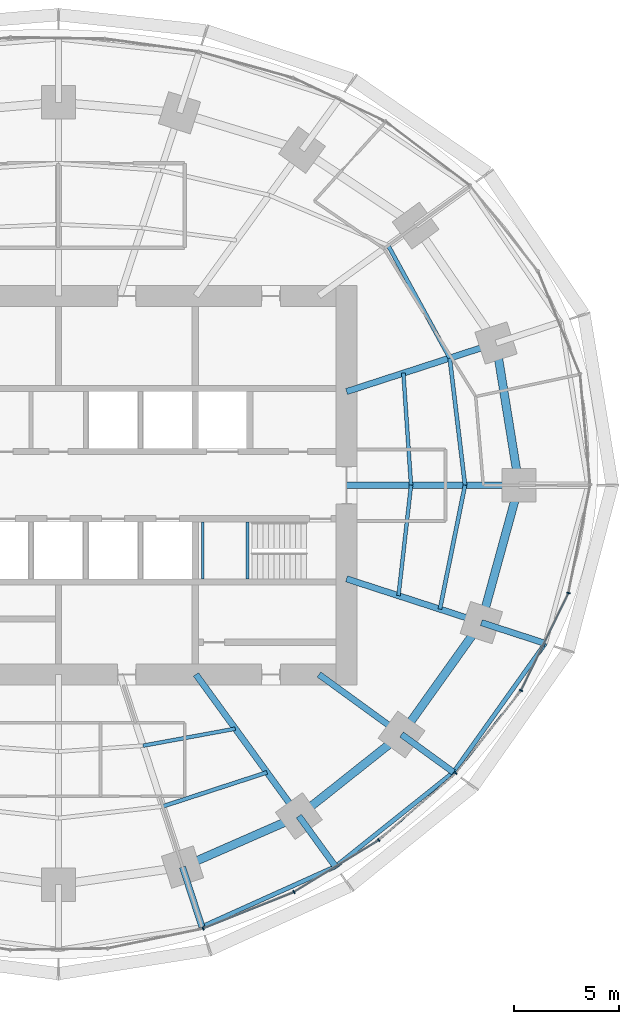
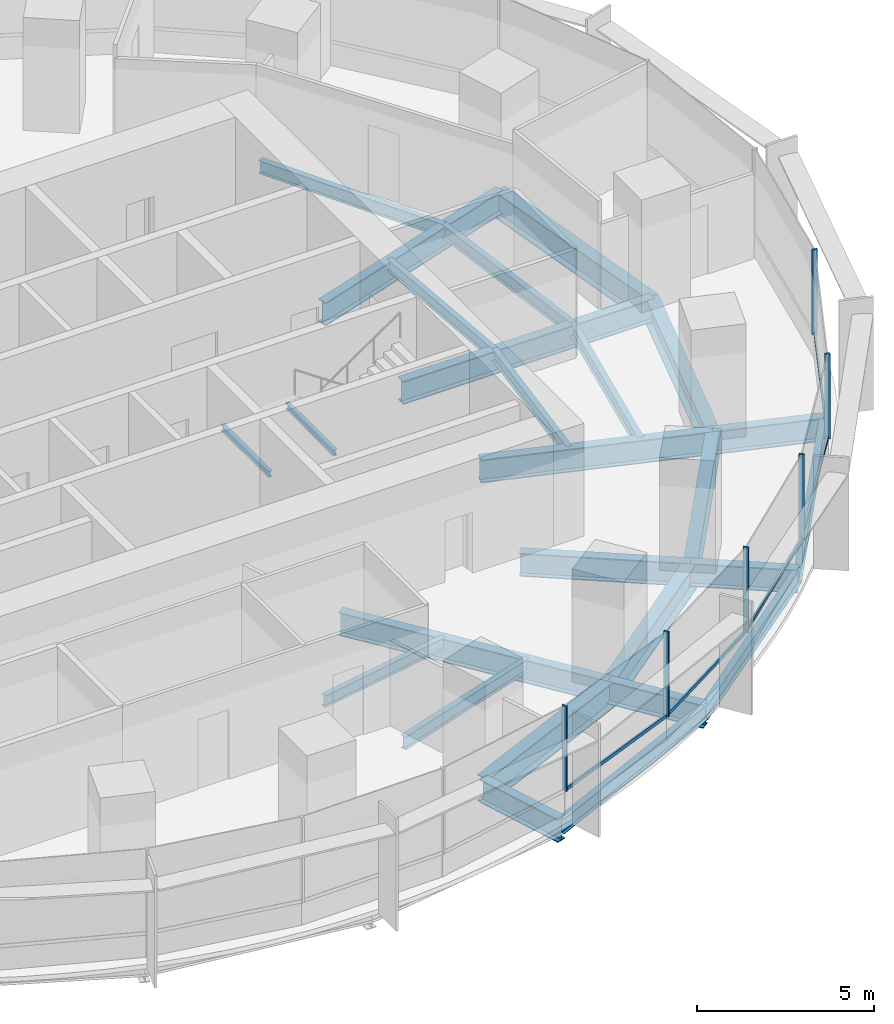
# One storey, part 5 of 14: 26 beams, 11 members, 2 elements without a shape of their own.
"""IFC4 building model written with IfcOpenShell, lengths in metres."""

from ifc_helpers import new_model, si_unit, direction, frame, origin, origin_2d, place, context, subcontext, project, spatial, rectangle, i_section, extrude, material, material_profile, profile_set, type_object, element, aggregate, save


model = new_model("IFC4")

# Units and contexts
model_context = context("Model", 3, precision=1e-05, world=origin(), true_north=direction((0.0, 1.0)))
body_context = subcontext(model_context, "Body", "Model", "MODEL_VIEW")
ifc_project = project(units=[si_unit("LENGTHUNIT", "METRE"), si_unit("AREAUNIT", "SQUARE_METRE"), si_unit("VOLUMEUNIT", "CUBIC_METRE"), si_unit("PLANEANGLEUNIT", "RADIAN"), si_unit("MASSUNIT", "GRAM", prefix="KILO")], contexts=[model_context])

# Site, building, storey
site_placement = place(None, origin())
site = spatial("IfcSite", under=ifc_project, at=site_placement, CompositionType="ELEMENT")
building_placement = place(site_placement, origin())
building = spatial("IfcBuilding", under=site, at=building_placement, Name="Marramba Exchange Tower", CompositionType="ELEMENT")
storey_placement = place(building_placement, frame((0.0, 0.0, 96.300048828125)))
storey = spatial("IfcBuildingStorey", under=building, at=storey_placement, Name="L22", CompositionType="ELEMENT", Elevation=96.300048828125)

# Beams
ifc_material_1 = material(Name="Steel AS/NZS 3679.2 grade 300", Category="steel")
ifc_material_profile_1 = material_profile(ifc_material_1, i_section(OverallWidth=0.300048828125, OverallDepth=0.800048828125, WebThickness=0.013916015625, FlangeThickness=0.031982421875, at=origin_2d()), Name="800WB192")
ifc_profile_set_1 = profile_set([ifc_material_profile_1], Name="Steel AS/NZS 3679.2 grade 300")
beam_type_1 = type_object("IfcBeamType", Name="Cantilever girder 800WB192", PredefinedType="BEAM", material=ifc_profile_set_1)
beam_1_placement = place(storey_placement, frame((5.899658203125, -18.156982421875, -0.56005859375), z_axis=(0.30903246226, -0.951051490336, 0.0), x_axis=(0.951051490336, 0.30903246226, 0.0)))
element("IfcBeam", 1, at=beam_1_placement, inside=storey, type_object=beam_type_1, Name="Cantilever girder L22 TC17", PredefinedType="BEAM", context=body_context, shape_type="SweptSolid", body=[
    extrude(i_section(OverallWidth=0.300048828125, OverallDepth=0.800048828125, WebThickness=0.013916015625, FlangeThickness=0.031982421875, at=origin_2d()), origin(), (0.0, 0.0, 1.0), 2.986328125),
])
beam_2_placement = place(storey_placement, frame((11.430419921875, -15.732666015625, -0.56005859375), z_axis=(0.587794986183, -0.8090099222, 0.0), x_axis=(0.8090099222, 0.587794986183, 0.0)))
element("IfcBeam", 2, at=beam_2_placement, inside=storey, type_object=beam_type_1, Name="Cantilever girder L22 TC18", PredefinedType="BEAM", context=body_context, shape_type="SweptSolid", body=[
    extrude(i_section(OverallWidth=0.300048828125, OverallDepth=0.800048828125, WebThickness=0.013916015625, FlangeThickness=0.031982421875, at=origin_2d()), origin(), (0.0, 0.0, 1.0), 2.9677734375),
])
beam_3_placement = place(storey_placement, frame((16.3154296875, -11.853759765625, -0.56005859375), z_axis=(0.809026231081, -0.587772538847, 0.0), x_axis=(0.587772538847, 0.809026231081, 0.0)))
element("IfcBeam", 3, at=beam_3_placement, inside=storey, type_object=beam_type_1, Name="Cantilever girder L22 TC19", PredefinedType="BEAM", context=body_context, shape_type="SweptSolid", body=[
    extrude(i_section(OverallWidth=0.300048828125, OverallDepth=0.800048828125, WebThickness=0.013916015625, FlangeThickness=0.031982421875, at=origin_2d()), origin(), (0.0, 0.0, 1.0), 3.055419921875),
])
beam_4_placement = place(storey_placement, frame((20.109375, -6.533935546875, -0.56005859375), z_axis=(0.951054839063, -0.309022156318, 0.0), x_axis=(0.309022156318, 0.951054839063, 0.0)))
element("IfcBeam", 4, at=beam_4_placement, inside=storey, type_object=beam_type_1, Name="Cantilever girder L22 TC20", PredefinedType="BEAM", context=body_context, shape_type="SweptSolid", body=[
    extrude(i_section(OverallWidth=0.300048828125, OverallDepth=0.800048828125, WebThickness=0.013916015625, FlangeThickness=0.031982421875, at=origin_2d()), origin(), (0.0, 0.0, 1.0), 3.19580078125),
])
ifc_material_2 = material(Name="Steel AS/NZS 3679.1 grade 300", Category="steel")
ifc_material_profile_2 = material_profile(ifc_material_2, i_section(OverallWidth=0.177978515625, OverallDepth=0.406005859375, WebThickness=0.0078125, FlangeThickness=0.0126953125, FilletRadius=0.011474609375, at=origin_2d()), Name="410UB59.7")
ifc_profile_set_2 = profile_set([ifc_material_profile_2], Name="Steel AS/NZS 3679.1 grade 300")
beam_type_2 = type_object("IfcBeamType", Name="Floor joist 410UB59.7", PredefinedType="JOIST", material=ifc_profile_set_2)
beam_5_placement = place(storey_placement, frame((16.7666015625, 0.0, -0.363037109375), z_axis=(-0.068096259546, 0.99767875563, 0.0), x_axis=(-0.99767875563, -0.068096259546, 0.0)))
element("IfcBeam", 5, at=beam_5_placement, inside=storey, type_object=beam_type_2, Name="Joist L22 bay 01 row 1", PredefinedType="JOIST", context=body_context, shape_type="SweptSolid", body=[
    extrude(i_section(OverallWidth=0.177978515625, OverallDepth=0.406005859375, WebThickness=0.0078125, FlangeThickness=0.0126953125, FilletRadius=0.011474609375, at=origin_2d()), origin(), (0.0, 0.0, 1.0), 5.342041015625),
])
beam_6_placement = place(storey_placement, frame((4.0244140625, -12.3857421875, -0.363037109375), z_axis=(0.983455754421, 0.181148500119, 0.0), x_axis=(-0.181148500119, 0.983455754421, 0.0)))
element("IfcBeam", 6, at=beam_6_placement, inside=storey, type_object=beam_type_2, Name="Joist L22 bay 17 row 1", PredefinedType="JOIST", context=body_context, shape_type="SweptSolid", body=[
    extrude(i_section(OverallWidth=0.177978515625, OverallDepth=0.406005859375, WebThickness=0.0078125, FlangeThickness=0.0126953125, FilletRadius=0.011474609375, at=origin_2d()), origin(), (0.0, 0.0, 1.0), 4.4609375),
])
beam_7_placement = place(storey_placement, frame((16.169677734375, -5.25390625, -0.363037109375), z_axis=(0.112888968594, 0.993607609054, 0.0), x_axis=(-0.993607609054, 0.112888968594, 0.0)))
element("IfcBeam", 7, at=beam_7_placement, inside=storey, type_object=beam_type_2, Name="Joist L22 bay 20 row 1", PredefinedType="JOIST", context=body_context, shape_type="SweptSolid", body=[
    extrude(i_section(OverallWidth=0.177978515625, OverallDepth=0.406005859375, WebThickness=0.0078125, FlangeThickness=0.0126953125, FilletRadius=0.011474609375, at=origin_2d()), origin(), (0.0, 0.0, 1.0), 5.28759765625),
])
ifc_material_profile_3 = material_profile(ifc_material_2, i_section(OverallWidth=0.18994140625, OverallDepth=0.4541015625, WebThickness=0.008544921875, FlangeThickness=0.0126953125, FilletRadius=0.011474609375, at=origin_2d()), Name="460UB67.1")
ifc_profile_set_3 = profile_set([ifc_material_profile_3], Name="Steel AS/NZS 3679.1 grade 300")
beam_type_3 = type_object("IfcBeamType", Name="Floor joist 460UB67.1", PredefinedType="JOIST", material=ifc_profile_set_3)
beam_8_placement = place(storey_placement, frame((19.333251953125, 0.0, -0.386962890625), z_axis=(-0.119523078538, 0.992831422597, 0.0), x_axis=(-0.992831422597, -0.119523078538, 0.0)))
element("IfcBeam", 8, at=beam_8_placement, inside=storey, type_object=beam_type_3, Name="Joist L22 bay 01 row 2", PredefinedType="JOIST", context=body_context, shape_type="SweptSolid", body=[
    extrude(i_section(OverallWidth=0.18994140625, OverallDepth=0.4541015625, WebThickness=0.008544921875, FlangeThickness=0.0126953125, FilletRadius=0.011474609375, at=origin_2d()), origin(), (0.0, 0.0, 1.0), 6.089111328125),
])
beam_9_placement = place(storey_placement, frame((18.60546875, 6.04541015625, -0.386962890625), z_axis=(-0.479584443791, 0.877495732909, 0.0), x_axis=(-0.877495732909, -0.479584443791, 0.0)))
element("IfcBeam", 9, at=beam_9_placement, inside=storey, type_object=beam_type_3, Name="Joist L22 bay 02 row 2", PredefinedType="JOIST", context=body_context, shape_type="SweptSolid", body=[
    extrude(i_section(OverallWidth=0.18994140625, OverallDepth=0.4541015625, WebThickness=0.008544921875, FlangeThickness=0.0126953125, FilletRadius=0.011474609375, at=origin_2d()), origin(), (0.0, 0.0, 1.0), 6.094970703125),
])
beam_10_placement = place(storey_placement, frame((4.9619140625, -15.271484375, -0.386962890625), z_axis=(0.950764024931, 0.309915744834, 0.0), x_axis=(-0.309915744834, 0.950764024931, 0.0)))
element("IfcBeam", 10, at=beam_10_placement, inside=storey, type_object=beam_type_3, Name="Joist L22 bay 17 row 2", PredefinedType="JOIST", context=body_context, shape_type="SweptSolid", body=[
    extrude(i_section(OverallWidth=0.18994140625, OverallDepth=0.4541015625, WebThickness=0.008544921875, FlangeThickness=0.0126953125, FilletRadius=0.011474609375, at=origin_2d()), origin(), (0.0, 0.0, 1.0), 5.2158203125),
])
beam_11_placement = place(storey_placement, frame((18.1396484375, -5.893798828125, -0.386962890625), z_axis=(0.198489047047, 0.980103105904, 0.0), x_axis=(-0.980103105904, 0.198489047047, 0.0)))
element("IfcBeam", 11, at=beam_11_placement, inside=storey, type_object=beam_type_3, Name="Joist L22 bay 20 row 2", PredefinedType="JOIST", context=body_context, shape_type="SweptSolid", body=[
    extrude(i_section(OverallWidth=0.18994140625, OverallDepth=0.4541015625, WebThickness=0.008544921875, FlangeThickness=0.0126953125, FilletRadius=0.011474609375, at=origin_2d()), origin(), (0.0, 0.0, 1.0), 6.013427734375),
])

# Curtain wall, member
ifc_material_3 = material(Name="Aluminium framing, bronze anodised", Category="aluminium")
curtain_wall_type = type_object("IfcCurtainWallType", Name="Office ribbon curtain wall", PredefinedType="USERDEFINED", material=ifc_material_3)
curtain_wall_1_placement = place(storey_placement, origin())
curtain_wall_1 = element("IfcCurtainWall", 12, at=curtain_wall_1_placement, inside=storey, type_object=curtain_wall_type, Name="Curtain wall CW4 L22 F21-F25", ObjectType="RIBBON CURTAIN WALL", PredefinedType="USERDEFINED")
ifc_material_4 = material(Name="Aluminium mullion, bronze anodised", Category="aluminium")
ifc_material_profile_4 = material_profile(ifc_material_4, rectangle(XDim=0.159912109375, YDim=0.06005859375, at=origin_2d()), Name="CW4 mullion 60x160")
ifc_profile_set_4 = profile_set([ifc_material_profile_4], Name="Aluminium mullion, bronze anodised")
member_type_1 = type_object("IfcMemberType", Name="Office ribbon curtain wall mullion", PredefinedType="MULLION", material=ifc_profile_set_4)
member_1_placement = place(storey_placement, frame((6.881103515625, -21.0810546875, 0.800048828125), z_axis=(0.0, 0.0, 1.0), x_axis=(-0.372209067082, 0.928148916059, 0.0)))
member_1 = element("IfcMember", 13, at=member_1_placement, type_object=member_type_1, Name="CW4 mullion 1", PredefinedType="MULLION", context=body_context, shape_type="SweptSolid", body=[
    extrude(rectangle(XDim=0.159912109375, YDim=0.06005859375, at=origin_2d()), origin(), (0.0, 0.0, 1.0), 2.93994140625),
])

# Curtain wall, members
curtain_wall_2_placement = place(storey_placement, origin())
curtain_wall_2 = element("IfcCurtainWall", 14, at=curtain_wall_2_placement, inside=storey, type_object=curtain_wall_type, Name="Curtain wall CW4 L22 F26-F30", ObjectType="RIBBON CURTAIN WALL", PredefinedType="USERDEFINED")
member_2_placement = place(storey_placement, frame((11.2021484375, -19.3427734375, 0.800048828125), z_axis=(0.0, 0.0, 1.0), x_axis=(-0.521732535664, 0.853109114492, 0.0)))
member_2 = element("IfcMember", 15, at=member_2_placement, type_object=member_type_1, Name="CW4 mullion 1", PredefinedType="MULLION", context=body_context, shape_type="SweptSolid", body=[
    extrude(rectangle(XDim=0.159912109375, YDim=0.06005859375, at=origin_2d()), origin(), (0.0, 0.0, 1.0), 2.93994140625),
])
member_3_placement = place(storey_placement, frame((15.232177734375, -16.872314453125, 0.800048828125), z_axis=(0.0, 0.0, 1.0), x_axis=(-0.656431647438, 0.754385506384, 0.0)))
member_3 = element("IfcMember", 16, at=member_3_placement, type_object=member_type_1, Name="CW4 mullion 1", PredefinedType="MULLION", context=body_context, shape_type="SweptSolid", body=[
    extrude(rectangle(XDim=0.159912109375, YDim=0.06005859375, at=origin_2d()), origin(), (0.0, 0.0, 1.0), 2.93994140625),
])
member_4_placement = place(storey_placement, frame((18.886962890625, -13.68505859375, 0.800048828125), z_axis=(0.0, 0.0, 1.0), x_axis=(-0.783170139469, 0.621807472329, 0.0)))
member_4 = element("IfcMember", 17, at=member_4_placement, type_object=member_type_1, Name="CW4 mullion 1", PredefinedType="MULLION", context=body_context, shape_type="SweptSolid", body=[
    extrude(rectangle(XDim=0.159912109375, YDim=0.06005859375, at=origin_2d()), origin(), (0.0, 0.0, 1.0), 2.93994140625),
])
member_5_placement = place(storey_placement, frame((21.994873046875, -9.760009765625, 0.800048828125), z_axis=(0.0, 0.0, 1.0), x_axis=(-0.89844486976, 0.439086342308, 0.0)))
member_5 = element("IfcMember", 18, at=member_5_placement, type_object=member_type_1, Name="CW4 mullion 1", PredefinedType="MULLION", context=body_context, shape_type="SweptSolid", body=[
    extrude(rectangle(XDim=0.159912109375, YDim=0.06005859375, at=origin_2d()), origin(), (0.0, 0.0, 1.0), 2.93994140625),
])
member_6_placement = place(storey_placement, frame((24.252197265625, -5.124267578125, 0.800048828125), z_axis=(0.0, 0.0, 1.0), x_axis=(-0.980393739376, 0.197048511267, 0.0)))
member_6 = element("IfcMember", 19, at=member_6_placement, type_object=member_type_1, Name="CW4 mullion 1", PredefinedType="MULLION", context=body_context, shape_type="SweptSolid", body=[
    extrude(rectangle(XDim=0.159912109375, YDim=0.06005859375, at=origin_2d()), origin(), (0.0, 0.0, 1.0), 2.93994140625),
])

# Member
ifc_material_5 = material(Name="Aluminium transom, bronze anodised", Category="aluminium")
ifc_material_profile_5 = material_profile(ifc_material_5, rectangle(XDim=0.06005859375, YDim=0.1201171875, at=origin_2d()), Name="CW4 transom 60x120")
ifc_profile_set_5 = profile_set([ifc_material_profile_5], Name="Aluminium transom, bronze anodised")
member_type_2 = type_object("IfcMemberType", Name="Office ribbon curtain wall transom", PredefinedType="USERDEFINED", material=ifc_profile_set_5)
member_7_placement = place(storey_placement, frame((6.908935546875, -21.06982421875, 0.829833984375), z_axis=(0.928146753748, 0.372214459026, 0.0), x_axis=(-0.372214459026, 0.928146753748, 0.0)))
member_7 = element("IfcMember", 20, at=member_7_placement, type_object=member_type_2, Name="CW4 sill transom", ObjectType="TRANSOM", PredefinedType="USERDEFINED", context=body_context, shape_type="SweptSolid", body=[
    extrude(rectangle(XDim=0.06005859375, YDim=0.1201171875, at=origin_2d()), origin(), (0.0, 0.0, 1.0), 4.597900390625),
])

aggregate(curtain_wall_1, [member_1, member_7])

member_8_placement = place(storey_placement, frame((11.227783203125, -19.3271484375, 0.829833984375), z_axis=(0.853124051379, 0.52170811088, 0.0), x_axis=(-0.52170811088, 0.853124051379, 0.0)))
member_8 = element("IfcMember", 21, at=member_8_placement, type_object=member_type_2, Name="CW4 sill transom", ObjectType="TRANSOM", PredefinedType="USERDEFINED", context=body_context, shape_type="SweptSolid", body=[
    extrude(rectangle(XDim=0.06005859375, YDim=0.1201171875, at=origin_2d()), origin(), (0.0, 0.0, 1.0), 4.66748046875),
])

member_9_placement = place(storey_placement, frame((15.2548828125, -16.8525390625, 0.829833984375), z_axis=(0.754392594189, 0.65642350189, 0.0), x_axis=(-0.65642350189, 0.754392594189, 0.0)))
member_9 = element("IfcMember", 22, at=member_9_placement, type_object=member_type_2, Name="CW4 sill transom", ObjectType="TRANSOM", PredefinedType="USERDEFINED", context=body_context, shape_type="SweptSolid", body=[
    extrude(rectangle(XDim=0.06005859375, YDim=0.1201171875, at=origin_2d()), origin(), (0.0, 0.0, 1.0), 4.78955078125),
])

member_10_placement = place(storey_placement, frame((18.905517578125, -13.66162109375, 0.829833984375), z_axis=(0.621777997945, 0.783193540111, 0.0), x_axis=(-0.783193540111, 0.621777997945, 0.0)))
member_10 = element("IfcMember", 23, at=member_10_placement, type_object=member_type_2, Name="CW4 sill transom", ObjectType="TRANSOM", PredefinedType="USERDEFINED", context=body_context, shape_type="SweptSolid", body=[
    extrude(rectangle(XDim=0.06005859375, YDim=0.1201171875, at=origin_2d()), origin(), (0.0, 0.0, 1.0), 4.947265625),
])

member_11_placement = place(storey_placement, frame((22.008056640625, -9.73291015625, 0.829833984375), z_axis=(0.439090714557, 0.898442732949, 0.0), x_axis=(-0.898442732949, 0.439090714557, 0.0)))
member_11 = element("IfcMember", 24, at=member_11_placement, type_object=member_type_2, Name="CW4 sill transom", ObjectType="TRANSOM", PredefinedType="USERDEFINED", context=body_context, shape_type="SweptSolid", body=[
    extrude(rectangle(XDim=0.06005859375, YDim=0.1201171875, at=origin_2d()), origin(), (0.0, 0.0, 1.0), 5.096923828125),
])

aggregate(curtain_wall_2, [member_2, member_8, member_3, member_9, member_4, member_10, member_5, member_11, member_6])

# Beams
ifc_material_profile_6 = material_profile(ifc_material_1, i_section(OverallWidth=0.300048828125, OverallDepth=0.800048828125, WebThickness=0.013916015625, FlangeThickness=0.031982421875, at=origin_2d()), Name="800WB192")
ifc_profile_set_6 = profile_set([ifc_material_profile_6], Name="Steel AS/NZS 3679.2 grade 300")
beam_type_4 = type_object("IfcBeamType", Name="Radial girder 800WB192", PredefinedType="BEAM", material=ifc_profile_set_6)
beam_12_placement = place(storey_placement, frame((13.699951171875, 0.0, -0.56005859375), z_axis=(1.0, 0.0, 0.0), x_axis=(0.0, 1.0, 0.0)))
element("IfcBeam", 25, at=beam_12_placement, inside=storey, type_object=beam_type_4, Name="Radial girder L22 TC01", PredefinedType="BEAM", context=body_context, shape_type="SweptSolid", body=[
    extrude(i_section(OverallWidth=0.300048828125, OverallDepth=0.800048828125, WebThickness=0.013916015625, FlangeThickness=0.031982421875, at=origin_2d()), origin(), (0.0, 0.0, 1.0), 8.199951171875),
])
beam_13_placement = place(storey_placement, frame((13.699951171875, 4.451416015625, -0.56005859375), z_axis=(0.951059990189, 0.309006302624, 0.0), x_axis=(-0.309006302624, 0.951059990189, 0.0)))
element("IfcBeam", 26, at=beam_13_placement, inside=storey, type_object=beam_type_4, Name="Radial girder L22 TC02", PredefinedType="BEAM", context=body_context, shape_type="SweptSolid", body=[
    extrude(i_section(OverallWidth=0.300048828125, OverallDepth=0.800048828125, WebThickness=0.013916015625, FlangeThickness=0.031982421875, at=origin_2d()), origin(), (0.0, 0.0, 1.0), 7.47412109375),
])
beam_14_placement = place(storey_placement, frame((6.538818359375, -9.0, -0.56005859375), z_axis=(0.587787877172, -0.809015087282, 0.0), x_axis=(0.809015087282, 0.587787877172, 0.0)))
element("IfcBeam", 27, at=beam_14_placement, inside=storey, type_object=beam_type_4, Name="Radial girder L22 TC18", PredefinedType="BEAM", context=body_context, shape_type="SweptSolid", body=[
    extrude(i_section(OverallWidth=0.300048828125, OverallDepth=0.800048828125, WebThickness=0.013916015625, FlangeThickness=0.031982421875, at=origin_2d()), origin(), (0.0, 0.0, 1.0), 8.322021484375),
])
beam_15_placement = place(storey_placement, frame((12.387451171875, -9.0, -0.56005859375), z_axis=(0.809025189606, -0.58777397236, 0.0), x_axis=(0.58777397236, 0.809025189606, 0.0)))
element("IfcBeam", 28, at=beam_15_placement, inside=storey, type_object=beam_type_4, Name="Radial girder L22 TC19", PredefinedType="BEAM", context=body_context, shape_type="SweptSolid", body=[
    extrude(i_section(OverallWidth=0.300048828125, OverallDepth=0.800048828125, WebThickness=0.013916015625, FlangeThickness=0.031982421875, at=origin_2d()), origin(), (0.0, 0.0, 1.0), 4.855224609375),
])
beam_16_placement = place(storey_placement, frame((13.699951171875, -4.451416015625, -0.56005859375), z_axis=(0.951057759669, -0.309013167637, 0.0), x_axis=(0.309013167637, 0.951057759669, 0.0)))
element("IfcBeam", 29, at=beam_16_placement, inside=storey, type_object=beam_type_4, Name="Radial girder L22 TC20", PredefinedType="BEAM", context=body_context, shape_type="SweptSolid", body=[
    extrude(i_section(OverallWidth=0.300048828125, OverallDepth=0.800048828125, WebThickness=0.013916015625, FlangeThickness=0.031982421875, at=origin_2d()), origin(), (0.0, 0.0, 1.0), 6.7392578125),
])
ifc_material_profile_7 = material_profile(ifc_material_1, i_section(OverallWidth=0.39990234375, OverallDepth=0.89990234375, WebThickness=0.01611328125, FlangeThickness=0.031982421875, at=origin_2d()), Name="900WB282")
ifc_profile_set_7 = profile_set([ifc_material_profile_7], Name="Steel AS/NZS 3679.2 grade 300")
beam_type_5 = type_object("IfcBeamType", Name="Ring beam 900WB282", PredefinedType="SPANDREL", material=ifc_profile_set_7)
beam_17_placement = place(storey_placement, frame((21.89990234375, 0.0, -0.610107421875), z_axis=(-0.159384865399, 0.987216523708, 0.0), x_axis=(-0.987216523708, -0.159384865399, 0.0)))
element("IfcBeam", 30, at=beam_17_placement, inside=storey, type_object=beam_type_5, Name="Ring beam L22 TC01-TC02", PredefinedType="SPANDREL", context=body_context, shape_type="SweptSolid", body=[
    extrude(i_section(OverallWidth=0.39990234375, OverallDepth=0.89990234375, WebThickness=0.01611328125, FlangeThickness=0.031982421875, at=origin_2d()), origin(), (0.0, 0.0, 1.0), 6.8486328125),
])
beam_18_placement = place(storey_placement, frame((5.899658203125, -18.156982421875, -0.610107421875), z_axis=(0.915876892158, 0.4014592363, 0.0), x_axis=(-0.4014592363, 0.915876892158, 0.0)))
element("IfcBeam", 31, at=beam_18_placement, inside=storey, type_object=beam_type_5, Name="Ring beam L22 TC17-TC18", PredefinedType="SPANDREL", context=body_context, shape_type="SweptSolid", body=[
    extrude(i_section(OverallWidth=0.39990234375, OverallDepth=0.89990234375, WebThickness=0.01611328125, FlangeThickness=0.031982421875, at=origin_2d()), origin(), (0.0, 0.0, 1.0), 6.038818359375),
])
beam_19_placement = place(storey_placement, frame((11.430419921875, -15.732666015625, -0.610107421875), z_axis=(0.783139438128, 0.621846138887, 0.0), x_axis=(-0.621846138887, 0.783139438128, 0.0)))
element("IfcBeam", 32, at=beam_19_placement, inside=storey, type_object=beam_type_5, Name="Ring beam L22 TC18-TC19", PredefinedType="SPANDREL", context=body_context, shape_type="SweptSolid", body=[
    extrude(i_section(OverallWidth=0.39990234375, OverallDepth=0.89990234375, WebThickness=0.01611328125, FlangeThickness=0.031982421875, at=origin_2d()), origin(), (0.0, 0.0, 1.0), 6.23779296875),
])
beam_20_placement = place(storey_placement, frame((16.3154296875, -11.853759765625, -0.610107421875), z_axis=(0.580637181111, 0.814162430914, 0.0), x_axis=(-0.814162430914, 0.580637181111, 0.0)))
element("IfcBeam", 33, at=beam_20_placement, inside=storey, type_object=beam_type_5, Name="Ring beam L22 TC19-TC20", PredefinedType="SPANDREL", context=body_context, shape_type="SweptSolid", body=[
    extrude(i_section(OverallWidth=0.39990234375, OverallDepth=0.89990234375, WebThickness=0.01611328125, FlangeThickness=0.031982421875, at=origin_2d()), origin(), (0.0, 0.0, 1.0), 6.5341796875),
])
beam_21_placement = place(storey_placement, frame((20.109375, -6.533935546875, -0.610107421875), z_axis=(0.264291166956, 0.964442937176, 0.0), x_axis=(-0.964442937176, 0.264291166956, 0.0)))
element("IfcBeam", 34, at=beam_21_placement, inside=storey, type_object=beam_type_5, Name="Ring beam L22 TC20-TC01", PredefinedType="SPANDREL", context=body_context, shape_type="SweptSolid", body=[
    extrude(i_section(OverallWidth=0.39990234375, OverallDepth=0.89990234375, WebThickness=0.01611328125, FlangeThickness=0.031982421875, at=origin_2d()), origin(), (0.0, 0.0, 1.0), 6.77490234375),
])
ifc_material_profile_8 = material_profile(ifc_material_2, i_section(OverallWidth=0.208984375, OverallDepth=0.528076171875, WebThickness=0.009521484375, FlangeThickness=0.01318359375, FilletRadius=0.013916015625, at=origin_2d()), Name="530UB82.0")
ifc_profile_set_8 = profile_set([ifc_material_profile_8], Name="Steel AS/NZS 3679.1 grade 300")
beam_type_6 = type_object("IfcBeamType", Name="Slab edge beam 530UB82.0", PredefinedType="SPANDREL", material=ifc_profile_set_8)
beam_22_placement = place(storey_placement, frame((6.822509765625, -20.9970703125, -0.424072265625), z_axis=(0.911653171624, 0.410960453898, 0.0), x_axis=(-0.410960453898, 0.911653171624, 0.0)))
element("IfcBeam", 35, at=beam_22_placement, inside=storey, type_object=beam_type_6, Name="Slab edge beam L22 TC17-TC18", PredefinedType="SPANDREL", context=body_context, shape_type="SweptSolid", body=[
    extrude(i_section(OverallWidth=0.208984375, OverallDepth=0.528076171875, WebThickness=0.009521484375, FlangeThickness=0.01318359375, FilletRadius=0.013916015625, at=origin_2d()), origin(), (0.0, 0.0, 1.0), 6.9677734375),
])
beam_23_placement = place(storey_placement, frame((13.1748046875, -18.133544921875, -0.424072265625), z_axis=(0.781286404457, 0.624172695822, 0.0), x_axis=(-0.624172695822, 0.781286404457, 0.0)))
element("IfcBeam", 36, at=beam_23_placement, inside=storey, type_object=beam_type_6, Name="Slab edge beam L22 TC18-TC19", PredefinedType="SPANDREL", context=body_context, shape_type="SweptSolid", body=[
    extrude(i_section(OverallWidth=0.208984375, OverallDepth=0.528076171875, WebThickness=0.009521484375, FlangeThickness=0.01318359375, FilletRadius=0.013916015625, at=origin_2d()), origin(), (0.0, 0.0, 1.0), 7.183837890625),
])
beam_24_placement = place(storey_placement, frame((18.787353515625, -13.649658203125, -0.424072265625), z_axis=(0.579834168245, 0.814734519543, 0.0), x_axis=(-0.814734519543, 0.579834168245, 0.0)))
element("IfcBeam", 37, at=beam_24_placement, inside=storey, type_object=beam_type_6, Name="Slab edge beam L22 TC19-TC20", PredefinedType="SPANDREL", context=body_context, shape_type="SweptSolid", body=[
    extrude(i_section(OverallWidth=0.208984375, OverallDepth=0.528076171875, WebThickness=0.009521484375, FlangeThickness=0.01318359375, FilletRadius=0.013916015625, at=origin_2d()), origin(), (0.0, 0.0, 1.0), 7.521728515625),
])
ifc_material_profile_9 = material_profile(ifc_material_2, i_section(OverallWidth=0.133056640625, OverallDepth=0.202880859375, WebThickness=0.005859375, FlangeThickness=0.0078125, FilletRadius=0.0087890625, at=origin_2d()), Name="200UB25.4")
ifc_profile_set_9 = profile_set([ifc_material_profile_9], Name="Steel AS/NZS 3679.1 grade 300")
beam_type_7 = type_object("IfcBeamType", Name="Stair landing beam 200UB25.4", PredefinedType="BEAM", material=ifc_profile_set_9)
for number, where, z_axis, x_axis, name in (
    (38, (6.866455078125, -4.449951171875, 1.6484375), (0.0, 1.0, 0.0), (-1.0, 0.0, 0.0), "Stair landing beam SLB1 ST2 L22 1"),
    (39, (8.9833984375, -4.449951171875, 1.6484375), (0.0, 1.0, 0.0), (-1.0, 0.0, 0.0), "Stair landing beam SLB1 ST2 L22 2"),
):
    element("IfcBeam", number, at=place(storey_placement, frame(where, z_axis=z_axis, x_axis=x_axis)), inside=storey, type_object=beam_type_7, Name=name, PredefinedType="BEAM", context=body_context, shape_type="SweptSolid", body=[
        extrude(i_section(OverallWidth=0.133056640625, OverallDepth=0.202880859375, WebThickness=0.005859375, FlangeThickness=0.0078125, FilletRadius=0.0087890625, at=origin_2d()), origin(), (0.0, 0.0, 1.0), 2.699951171875),
    ])

save(model, "model.ifc")
